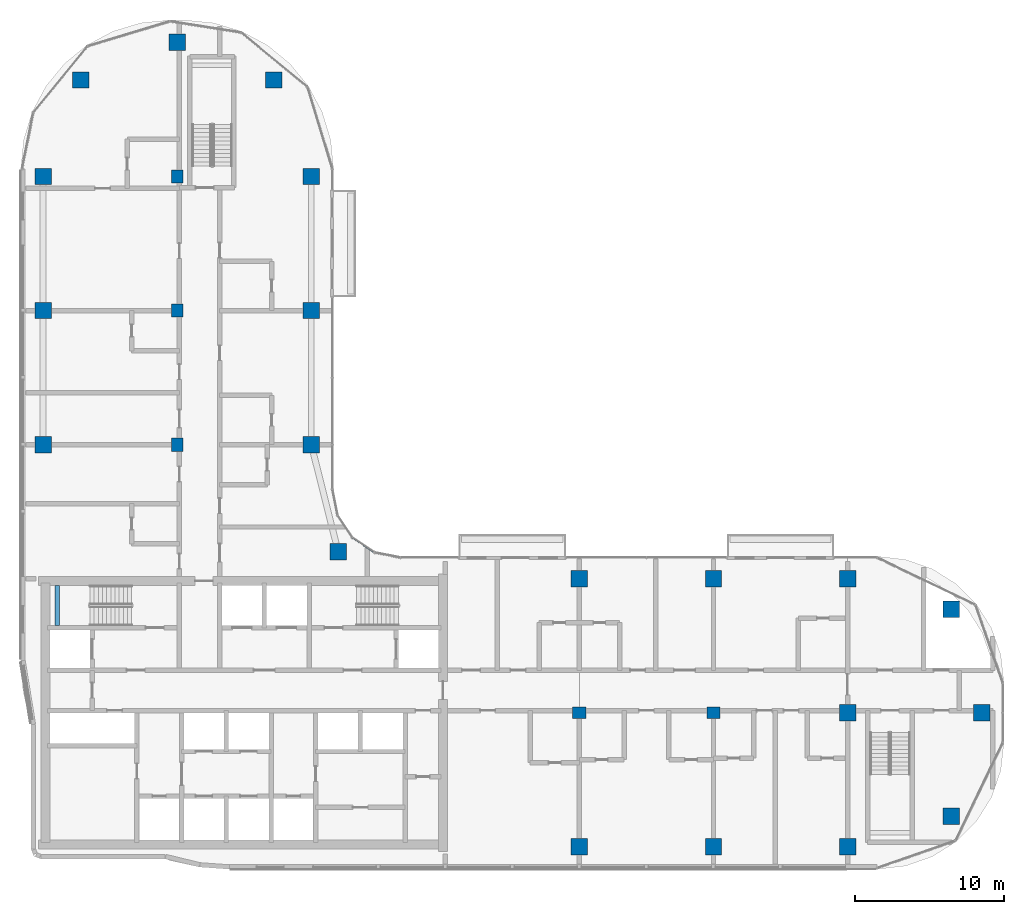
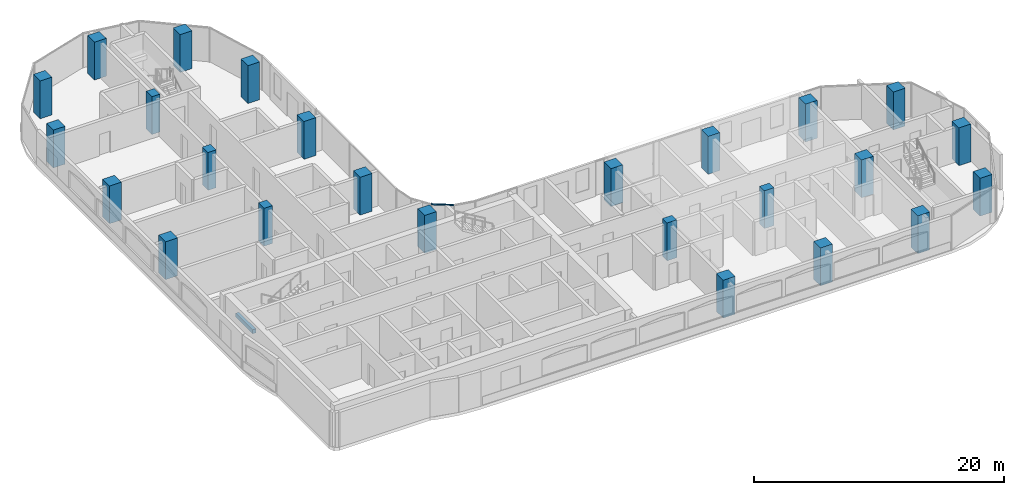
# One storey, part 1 of 22: 25 columns, 1 beam, 1 member, 1 element without a shape of its own.
"""IFC4 building model written with IfcOpenShell, lengths in metres."""

from ifc_helpers import new_model, si_unit, direction, frame, origin, origin_2d, place, context, subcontext, project, spatial, rectangle, extrude, material, material_profile, profile_set, type_object, element, aggregate, save


model = new_model("IFC4")

# Units and contexts
model_context = context("Model", 3, precision=1e-05, world=origin(), true_north=direction((0.0, 1.0)))
body_context = subcontext(model_context, "Body", "Model", "MODEL_VIEW")
ifc_project = project(units=[si_unit("LENGTHUNIT", "METRE"), si_unit("AREAUNIT", "SQUARE_METRE"), si_unit("VOLUMEUNIT", "CUBIC_METRE"), si_unit("PLANEANGLEUNIT", "RADIAN"), si_unit("MASSUNIT", "GRAM", prefix="KILO")], contexts=[model_context])

# Site, building, storey
site_placement = place(None, origin())
site = spatial("IfcSite", under=ifc_project, at=site_placement, CompositionType="ELEMENT")
building_placement = place(site_placement, origin())
building = spatial("IfcBuilding", under=site, at=building_placement, Name="Ogive Portal Towers", CompositionType="ELEMENT")
storey_placement = place(building_placement, frame((0.0, 0.0, 145.89990234375)))
storey = spatial("IfcBuildingStorey", under=building, at=storey_placement, Name="L35", CompositionType="ELEMENT", Elevation=145.89990234375)

# Columns
ifc_material_1 = material(Name="Concrete C60/75", Category="concrete")
ifc_material_profile_1 = material_profile(ifc_material_1, rectangle(XDim=1.10009765625, YDim=1.10009765625, at=origin_2d()), Name="RC 1100x1100")
ifc_profile_set_1 = profile_set([ifc_material_profile_1], Name="Concrete C60/75")
column_type_1 = type_object("IfcColumnType", Name="COLUMN RC 1100x1100", PredefinedType="COLUMN", material=ifc_profile_set_1)
for number, where, z_axis, x_axis, name in (
    (1, (67.5, 21.5, 0.0), (0.0, 0.0, 1.0), (1.0, 0.0, 0.0), "Column 5/A L35"),
    (2, (76.5, 21.5, 0.0), (0.0, 0.0, 1.0), (1.0, 0.0, 0.0), "Column 6/A L35"),
    (3, (85.5, 21.5, 0.0), (0.0, 0.0, 1.0), (1.0, 0.0, 0.0), "Column 7/A L35"),
    (4, (92.449951171875, 23.550048828125, 0.0), (0.0, 0.0, 1.0), (1.0, 0.0, 0.0), "Column L35"),
    (5, (85.5, 30.5, 0.0), (0.0, 0.0, 1.0), (1.0, 0.0, 0.0), "Column 7/B L35"),
    (6, (94.5, 30.5, 0.0), (0.0, 0.0, 1.0), (1.0, 0.0, 0.0), "Column 8/B L35"),
    (7, (92.449951171875, 37.449951171875, 0.0), (0.0, 0.0, 1.0), (1.0, 0.0, 0.0), "Column L35"),
    (8, (67.5, 39.5, 0.0), (0.0, 0.0, 1.0), (1.0, 0.0, 0.0), "Column 5/C L35"),
    (9, (76.5, 39.5, 0.0), (0.0, 0.0, 1.0), (1.0, 0.0, 0.0), "Column 6/C L35"),
    (10, (85.5, 39.5, 0.0), (0.0, 0.0, 1.0), (1.0, 0.0, 0.0), "Column 7/C L35"),
    (11, (51.31005859375, 41.31005859375, 0.0), (0.0, 0.0, 1.0), (1.0, 0.0, 0.0), "Column L35"),
    (12, (31.5, 48.5, 0.0), (0.0, 0.0, 1.0), (1.0, 0.0, 0.0), "Column 1/D L35"),
    (13, (49.5, 48.5, 0.0), (0.0, 0.0, 1.0), (1.0, 0.0, 0.0), "Column 3/D L35"),
    (14, (31.5, 57.5, 0.0), (0.0, 0.0, 1.0), (1.0, 0.0, 0.0), "Column 1/E L35"),
    (15, (49.5, 57.5, 0.0), (0.0, 0.0, 1.0), (1.0, 0.0, 0.0), "Column 3/E L35"),
    (16, (31.5, 66.5, 0.0), (0.0, 0.0, 1.0), (1.0, 0.0, 0.0), "Column 1/F L35"),
    (17, (49.5, 66.5, 0.0), (0.0, 0.0, 1.0), (1.0, 0.0, 0.0), "Column 3/F L35"),
    (18, (34.027099609375, 72.972900390625, 0.0), (0.0, 0.0, 1.0), (1.0, 0.0, 0.0), "Column L35"),
    (19, (46.972900390625, 72.972900390625, 0.0), (0.0, 0.0, 1.0), (1.0, 0.0, 0.0), "Column L35"),
    (20, (40.5, 75.5, 0.0), (0.0, 0.0, 1.0), (1.0, 0.0, 0.0), "Column 2/G L35"),
):
    element("IfcColumn", number, at=place(storey_placement, frame(where, z_axis=z_axis, x_axis=x_axis)), inside=storey, type_object=column_type_1, Name=name, PredefinedType="COLUMN", context=body_context, shape_type="SweptSolid", body=[
        extrude(rectangle(XDim=1.10009765625, YDim=1.10009765625, at=origin_2d()), origin(), (0.0, 0.0, 1.0), 3.7001953125),
    ])
ifc_material_profile_2 = material_profile(ifc_material_1, rectangle(XDim=0.89990234375, YDim=0.75, at=origin_2d()), Name="RC 900x750")
ifc_profile_set_2 = profile_set([ifc_material_profile_2], Name="Concrete C60/75")
column_type_2 = type_object("IfcColumnType", Name="COLUMN RC 900x750", PredefinedType="COLUMN", material=ifc_profile_set_2)
for number, where, z_axis, x_axis, name in (
    (21, (67.5, 30.5, 0.0), (0.0, 0.0, 1.0), (1.0, 0.0, 0.0), "Column 5/B L35"),
    (22, (76.5, 30.5, 0.0), (0.0, 0.0, 1.0), (1.0, 0.0, 0.0), "Column 6/B L35"),
    (23, (40.5, 48.5, 0.0), (0.0, 0.0, 1.0), (0.0, 1.0, 0.0), "Column 2/D L35"),
    (24, (40.5, 57.5, 0.0), (0.0, 0.0, 1.0), (0.0, 1.0, 0.0), "Column 2/E L35"),
    (25, (40.5, 66.5, 0.0), (0.0, 0.0, 1.0), (0.0, 1.0, 0.0), "Column 2/F L35"),
):
    element("IfcColumn", number, at=place(storey_placement, frame(where, z_axis=z_axis, x_axis=x_axis)), inside=storey, type_object=column_type_2, Name=name, PredefinedType="COLUMN", context=body_context, shape_type="SweptSolid", body=[
        extrude(rectangle(XDim=0.89990234375, YDim=0.75, at=origin_2d()), origin(), (0.0, 0.0, 1.0), 3.7001953125),
    ])

# Beam
ifc_material_2 = material(Name="Concrete C40/50", Category="concrete")
ifc_material_profile_3 = material_profile(ifc_material_2, rectangle(XDim=0.300048828125, YDim=0.39990234375, at=origin_2d()), Name="RC 300x400")
ifc_profile_set_3 = profile_set([ifc_material_profile_3], Name="Concrete C40/50")
beam_type = type_object("IfcBeamType", Name="BEAM RC 300x400", PredefinedType="BEAM", material=ifc_profile_set_3)
beam_placement = place(storey_placement, frame((32.449951171875, 36.35009765625, 1.4501953125), z_axis=(0.0, 1.0, 0.0), x_axis=(-1.0, 0.0, 0.0)))
element("IfcBeam", 26, at=beam_placement, inside=storey, type_object=beam_type, Name="Landing beam L35", PredefinedType="BEAM", context=body_context, shape_type="SweptSolid", body=[
    extrude(rectangle(XDim=0.300048828125, YDim=0.39990234375, at=origin_2d()), origin(), (0.0, 0.0, 1.0), 2.699951171875),
])

# Curtain wall, member
ifc_material_3 = material(Name="Glass, clear low-iron insulated glazing", Category="glass")
curtain_wall_type = type_object("IfcCurtainWallType", Name="CW FRONT RIBBON 4500", PredefinedType="NOTDEFINED", material=ifc_material_3)
curtain_wall_placement = place(storey_placement, origin())
curtain_wall = element("IfcCurtainWall", 27, at=curtain_wall_placement, inside=storey, type_object=curtain_wall_type, Name="A:L35:f13:cwa", PredefinedType="NOTDEFINED")
ifc_material_4 = material(Name="Aluminium 6063 anodised", Category="aluminium")
ifc_material_profile_4 = material_profile(ifc_material_4, rectangle(XDim=0.1201171875, YDim=0.06005859375, at=origin_2d()), Name="AL 120x60")
ifc_profile_set_4 = profile_set([ifc_material_profile_4], Name="Aluminium 6063 anodised")
member_type = type_object("IfcMemberType", Name="CW TRANSOM 60x120", PredefinedType="USERDEFINED", material=ifc_profile_set_4)
member_placement = place(storey_placement, frame((53.746826171875, 41.26708984375, 3.3701171875), z_axis=(-0.831503657605, 0.555519277244, 0.0), x_axis=(-0.555519277244, -0.831503657605, 0.0)))
member = element("IfcMember", 28, at=member_placement, type_object=member_type, Name="transom", ObjectType="TRANSOM", PredefinedType="USERDEFINED", context=body_context, shape_type="SweptSolid", body=[
    extrude(rectangle(XDim=0.1201171875, YDim=0.06005859375, at=origin_2d()), origin(), (0.0, 0.0, 1.0), 1.787841796875),
])
aggregate(curtain_wall, [member])

save(model, "model.ifc")
